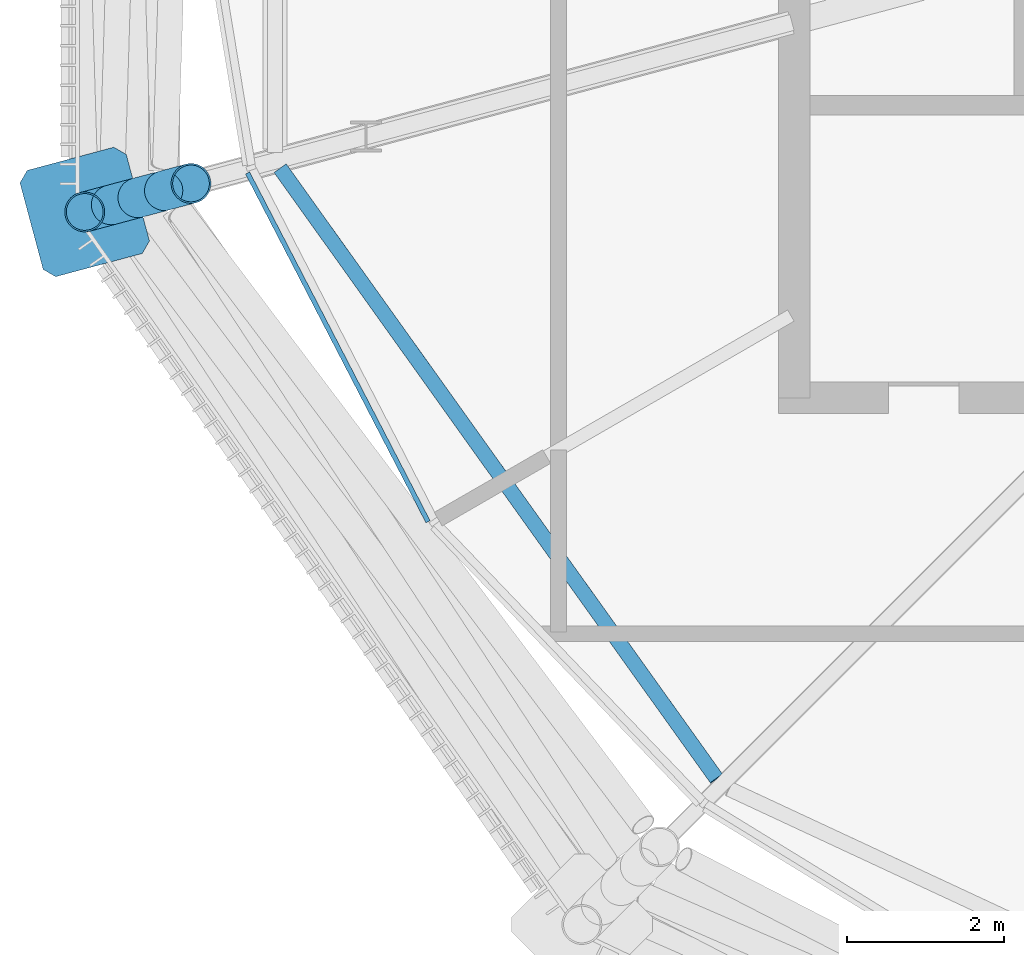
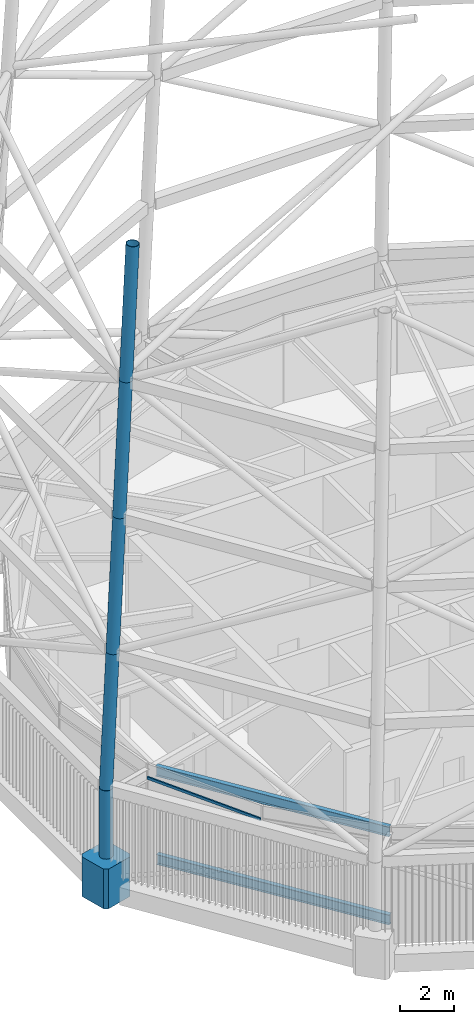
# One storey, part 6 of 71: 7 members, 2 beams, 1 element without a shape of its own.
"""IFC4 building model written with IfcOpenShell, lengths in metres."""

from ifc_helpers import new_model, si_unit, direction, frame, origin, origin_2d, place, context, subcontext, project, spatial, polyline, rectangle, hollow_circle, i_section, outline, extrude, material, material_profile, profile_set, type_object, element, aggregate, save


model = new_model("IFC4")

# Units and contexts
model_context = context("Model", 3, precision=1e-05, world=origin(), true_north=direction((0.0, 1.0)))
body_context = subcontext(model_context, "Body", "Model", "MODEL_VIEW")
ifc_project = project(units=[si_unit("LENGTHUNIT", "METRE"), si_unit("AREAUNIT", "SQUARE_METRE"), si_unit("VOLUMEUNIT", "CUBIC_METRE"), si_unit("PLANEANGLEUNIT", "RADIAN"), si_unit("MASSUNIT", "GRAM", prefix="KILO")], contexts=[model_context])

# Site, building, storey
site_placement = place(None, origin())
site = spatial("IfcSite", under=ifc_project, at=site_placement, CompositionType="ELEMENT")
building_placement = place(site_placement, origin())
building = spatial("IfcBuilding", under=site, at=building_placement, Name="Rimbun Link Towers", CompositionType="ELEMENT")
storey_placement = place(building_placement, frame((0.0, 0.0, 267.60009765625)))
storey = spatial("IfcBuildingStorey", under=building, at=storey_placement, Name="L65", CompositionType="ELEMENT", Elevation=267.60009765625)

# Curtain wall, member
ifc_material_1 = material(Name="Aluminium 6063-T6 louvre wall", Category="aluminium")
curtain_wall_type = type_object("IfcCurtainWallType", Name="CW6 plant floor louvre wall", PredefinedType="NOTDEFINED", material=ifc_material_1)
curtain_wall_placement = place(storey_placement, origin())
curtain_wall = element("IfcCurtainWall", 1, at=curtain_wall_placement, inside=storey, type_object=curtain_wall_type, Name="CW6 L65 T1", PredefinedType="NOTDEFINED")
ifc_material_2 = material(Name="Aluminium 6063-T6", Category="aluminium")
ifc_material_profile_1 = material_profile(ifc_material_2, rectangle(XDim=0.06005859375, YDim=0.1201171875, at=origin_2d()), Name="TRANSOM 60X120")
ifc_profile_set_1 = profile_set([ifc_material_profile_1], Name="Aluminium 6063-T6")
member_type_1 = type_object("IfcMemberType", Name="CW6 transom 60X120", PredefinedType="USERDEFINED", material=ifc_profile_set_1)
member_1_placement = place(storey_placement, frame((-48.408935546875, -9.576416015625, 3.39990234375), z_axis=(-0.459541205413, 0.888156450479, 0.0), x_axis=(-0.888156450479, -0.459541205413, 0.0)))
member_1 = element("IfcMember", 2, at=member_1_placement, type_object=member_type_1, Name="CW6 transom", ObjectType="TRANSOM", PredefinedType="USERDEFINED", context=body_context, shape_type="SweptSolid", body=[
    extrude(rectangle(XDim=0.06005859375, YDim=0.1201171875, at=origin_2d()), origin(), (0.0, 0.0, 1.0), 4.9970703125),
])
aggregate(curtain_wall, [member_1])

# Members
ifc_material_3 = material(Name="Steel S355J2H", Category="steel")
ifc_material_profile_2 = material_profile(ifc_material_3, hollow_circle(Radius=0.25390625, WallThickness=0.02001953125, at=origin_2d()), Name="Crown frame post CHS 508x20")
ifc_profile_set_2 = profile_set([ifc_material_profile_2], Name="Steel S355J2H")
member_type_2 = type_object("IfcMemberType", Name="Crown frame post CHS 508x20", PredefinedType="POST", material=ifc_profile_set_2)
member_2_placement = place(storey_placement, frame((-52.777099609375, -5.63427734375, 0.0), z_axis=(0.0, 0.0, 1.0), x_axis=(1.0, 0.0, 0.0)))
element("IfcMember", 3, at=member_2_placement, inside=storey, type_object=member_type_2, Name="CROWN FRAME post T1 1-06", PredefinedType="POST", context=body_context, shape_type="SweptSolid", body=[
    extrude(hollow_circle(Radius=0.25390625, WallThickness=0.02001953125, at=origin_2d()), origin(), (0.0, 0.0, 1.0), 4.0),
])
for number, where, z_axis, x_axis, name in (
    (4, (-52.777099609375, -5.63427734375, 4.0), (0.056260124661, 0.015070401624, 0.998302399761), (-0.258747705633, 0.965944938819, 0.0), "CROWN FRAME post T1 2-06"),
    (5, (-52.43896484375, -5.543701171875, 10.0), (0.056260090174, 0.01511101339, 0.998301787802), (-0.259398269136, 0.96577043751, 0.0), "CROWN FRAME post T1 3-06"),
    (6, (-52.100830078125, -5.452880859375, 16.0), (0.056260124661, 0.015070401624, 0.998302399761), (-0.258747705633, 0.965944938819, 0.0), "CROWN FRAME post T1 4-06"),
    (7, (-51.7626953125, -5.3623046875, 22.0), (0.056219632067, 0.015070436053, 0.998304680409), (-0.258922132605, 0.96589819818, 0.0), "CROWN FRAME post T1 5-06"),
):
    element("IfcMember", number, at=place(storey_placement, frame(where, z_axis=z_axis, x_axis=x_axis)), inside=storey, type_object=member_type_2, Name=name, PredefinedType="POST", context=body_context, shape_type="SweptSolid", body=[
        extrude(hollow_circle(Radius=0.25390625, WallThickness=0.02001953125, at=origin_2d()), origin(), (0.0, 0.0, 1.0), 6.01025390625),
    ])
ifc_material_4 = material(Name="Cast steel G20Mn5+QT, Rp0.2 300 MPa", Category="steel")
ifc_material_profile_3 = material_profile(ifc_material_4, outline(polyline([(0.699951171875, -0.570068359375), (0.699951171875, 0.570068359375), (0.570068359375, 0.699951171875), (-0.570068359375, 0.699951171875), (-0.699951171875, 0.570068359375), (-0.699951171875, -0.570068359375), (-0.570068359375, -0.699951171875), (0.570068359375, -0.699951171875), (0.699951171875, -0.570068359375)])), Name="NODE 1400x1400")
ifc_profile_set_3 = profile_set([ifc_material_profile_3], Name="Cast steel G20Mn5+QT, Rp0.2 300 MPa")
member_type_3 = type_object("IfcMemberType", Name="Diagrid node cast 1400", PredefinedType="USERDEFINED", material=ifc_profile_set_3)
member_3_placement = place(storey_placement, frame((-52.777099609375, -5.63427734375, -0.900146484375), z_axis=(0.0, 0.0, 1.0), x_axis=(-0.965925826289, -0.258819045103, 0.0)))
element("IfcMember", 8, at=member_3_placement, inside=storey, type_object=member_type_3, Name="Diagrid node L65 13", ObjectType="Diagrid node", PredefinedType="USERDEFINED", context=body_context, shape_type="SweptSolid", body=[
    extrude(outline(polyline([(0.699951171875, -0.570068359375), (0.699951171875, 0.570068359375), (0.570068359375, 0.699951171875), (-0.570068359375, 0.699951171875), (-0.699951171875, 0.570068359375), (-0.699951171875, -0.570068359375), (-0.570068359375, -0.699951171875), (0.570068359375, -0.699951171875), (0.699951171875, -0.570068359375)])), origin(), (0.0, 0.0, 1.0), 1.800048828125),
])

# Beams
ifc_material_5 = material(Name="Steel S355J2", Category="steel")
ifc_material_profile_4 = material_profile(ifc_material_5, i_section(OverallWidth=0.18994140625, OverallDepth=0.453369140625, WebThickness=0.008544921875, FlangeThickness=0.0126953125, at=origin_2d()), Name="UB 457x191x67")
ifc_profile_set_4 = profile_set([ifc_material_profile_4], Name="Steel S355J2")
beam_type = type_object("IfcBeamType", Name="UB 457x191x67", PredefinedType="BEAM", material=ifc_profile_set_4)
beam_1_placement = place(storey_placement, frame((-50.26513671875, -5.11328125, -0.4267578125), z_axis=(0.58156358037, -0.813500953894, 0.0), x_axis=(0.813500953894, 0.58156358037, 0.0)))
element("IfcBeam", 9, at=beam_1_placement, inside=storey, type_object=beam_type, Name="Edge beam T1 L65 13-15", PredefinedType="BEAM", context=body_context, shape_type="SweptSolid", body=[
    extrude(i_section(OverallWidth=0.18994140625, OverallDepth=0.453369140625, WebThickness=0.008544921875, FlangeThickness=0.0126953125, at=origin_2d()), origin(), (0.0, 0.0, 1.0), 9.50927734375),
])
beam_2_placement = place(storey_placement, frame((-50.291015625, -5.077392578125, 3.5732421875), z_axis=(0.581576914607, -0.813491421219, 0.0), x_axis=(0.813491421219, 0.581576914607, 0.0)))
element("IfcBeam", 10, at=beam_2_placement, inside=storey, type_object=beam_type, Name="Edge beam T1 L65 13-15", PredefinedType="BEAM", context=body_context, shape_type="SweptSolid", body=[
    extrude(i_section(OverallWidth=0.18994140625, OverallDepth=0.453369140625, WebThickness=0.008544921875, FlangeThickness=0.0126953125, at=origin_2d()), origin(), (0.0, 0.0, 1.0), 9.5439453125),
])

save(model, "model.ifc")
